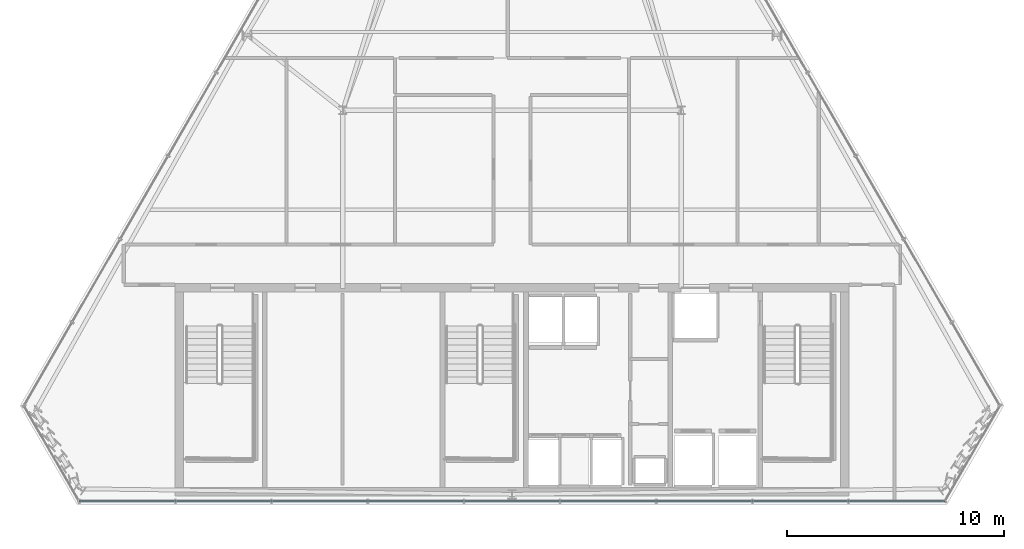
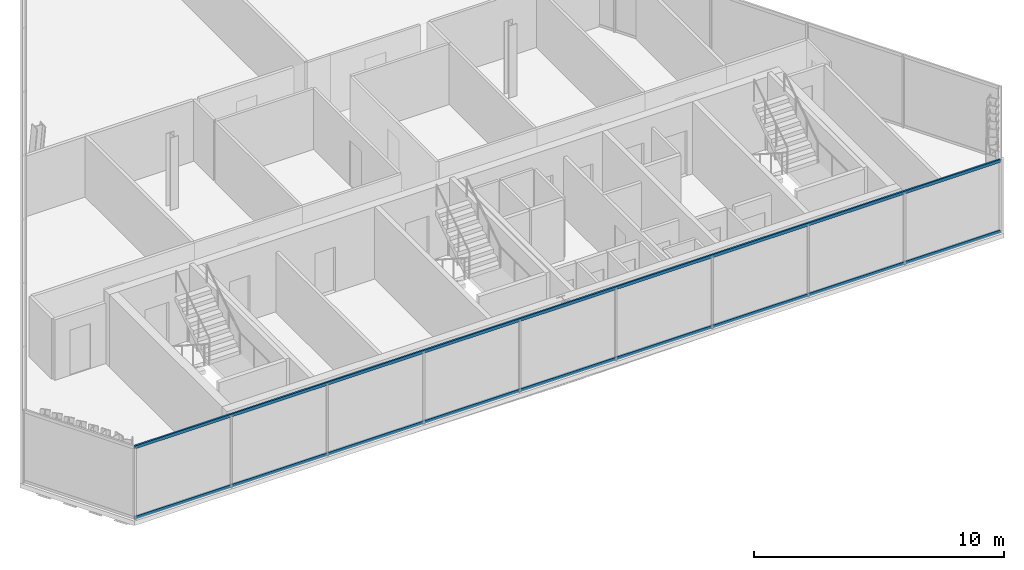
# One storey, part 10 of 35: 2 members, 1 element without a shape of its own.
"""IFC4 building model written with IfcOpenShell, lengths in metres."""

from ifc_helpers import new_model, si_unit, direction, frame, origin, origin_2d, place, context, subcontext, project, spatial, hollow_rectangle, extrude, material, layer, layer_set, material_profile, profile_set, type_object, element, aggregate, save


model = new_model("IFC4")

# Units and contexts
model_context = context("Model", 3, precision=1e-05, world=origin(), true_north=direction((0.0, 1.0)))
body_context = subcontext(model_context, "Body", "Model", "MODEL_VIEW")
ifc_project = project(units=[si_unit("LENGTHUNIT", "METRE"), si_unit("AREAUNIT", "SQUARE_METRE"), si_unit("VOLUMEUNIT", "CUBIC_METRE"), si_unit("PLANEANGLEUNIT", "RADIAN"), si_unit("MASSUNIT", "GRAM", prefix="KILO")], contexts=[model_context])

# Site, building, storey
site_placement = place(None, origin())
site = spatial("IfcSite", under=ifc_project, at=site_placement, CompositionType="ELEMENT")
building_placement = place(site_placement, origin())
building = spatial("IfcBuilding", under=site, at=building_placement, Name="Ndaravel Arena Tower", CompositionType="ELEMENT")
storey_placement = place(building_placement, frame((0.0, 0.0, 275.0)))
storey = spatial("IfcBuildingStorey", under=building, at=storey_placement, Name="L67", CompositionType="ELEMENT", Elevation=275.0)

# Curtain wall, members
ifc_material_1 = material(Name="Aluminium", Category="aluminium")
ifc_layer = layer(ifc_material_1, 0.179931640625)
ifc_layer_set = layer_set([ifc_layer], Name="Aluminium")
curtain_wall_type = type_object("IfcCurtainWallType", Name="CW-SYS-03", PredefinedType="NOTDEFINED", material=ifc_layer_set)
curtain_wall_placement = place(storey_placement, origin())
curtain_wall = element("IfcCurtainWall", 1, at=curtain_wall_placement, inside=storey, type_object=curtain_wall_type, Name="L67 Faceted Crystal Curtain Wall CW-L67-E01", PredefinedType="NOTDEFINED")
ifc_material_2 = material(Name="Aluminium", Category="aluminium")
ifc_material_profile = material_profile(ifc_material_2, hollow_rectangle(XDim=0.074951171875, YDim=0.14990234375, WallThickness=0.00390625, at=origin_2d()), Name="CW TRANSOM 75x150x4")
ifc_profile_set = profile_set([ifc_material_profile], Name="Aluminium")
member_type = type_object("IfcMemberType", Name="MEM-CW-TRN150", PredefinedType="USERDEFINED", material=ifc_profile_set)
member_1_placement = place(storey_placement, frame((22.041015625, 5.159912109375, 0.0400390625), z_axis=(1.0, 0.0, 0.0), x_axis=(0.0, 1.0, 0.0)))
member_1 = element("IfcMember", 2, at=member_1_placement, type_object=member_type, Name="CW-L67-E01 Transom 01", ObjectType="TRANSOM", PredefinedType="USERDEFINED", context=body_context, shape_type="SweptSolid", body=[
    extrude(hollow_rectangle(XDim=0.074951171875, YDim=0.14990234375, WallThickness=0.00390625, at=origin_2d()), origin(), (0.0, 0.0, 1.0), 39.91796875),
])
member_2_placement = place(storey_placement, frame((22.041015625, 5.159912109375, 3.47998046875), z_axis=(1.0, 0.0, 0.0), x_axis=(0.0, 1.0, 0.0)))
member_2 = element("IfcMember", 3, at=member_2_placement, type_object=member_type, Name="CW-L67-E01 Transom 02", ObjectType="TRANSOM", PredefinedType="USERDEFINED", context=body_context, shape_type="SweptSolid", body=[
    extrude(hollow_rectangle(XDim=0.074951171875, YDim=0.14990234375, WallThickness=0.00390625, at=origin_2d()), origin(), (0.0, 0.0, 1.0), 39.91796875),
])
aggregate(curtain_wall, [member_1, member_2])

save(model, "model.ifc")
